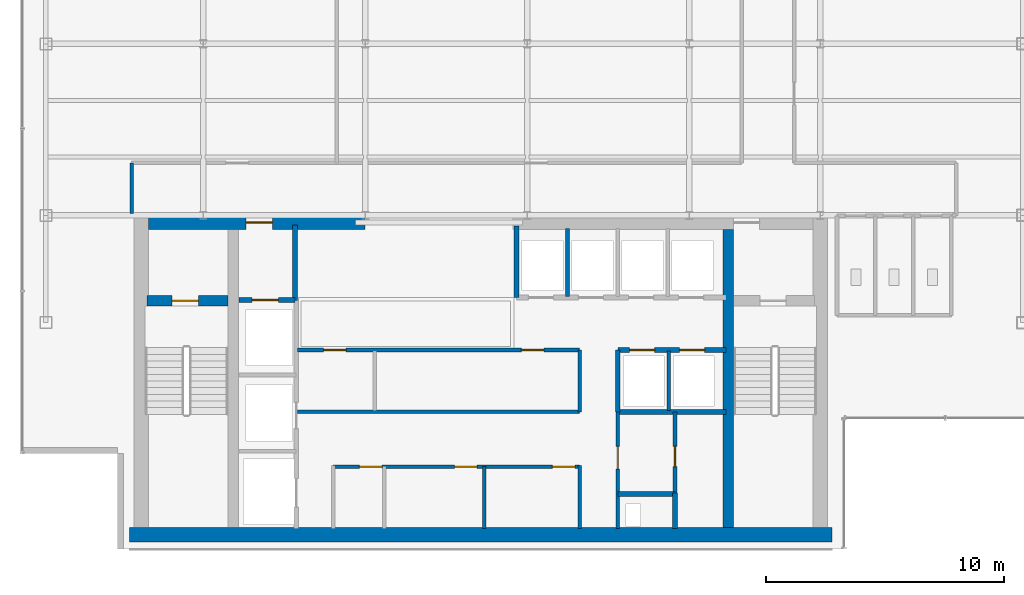
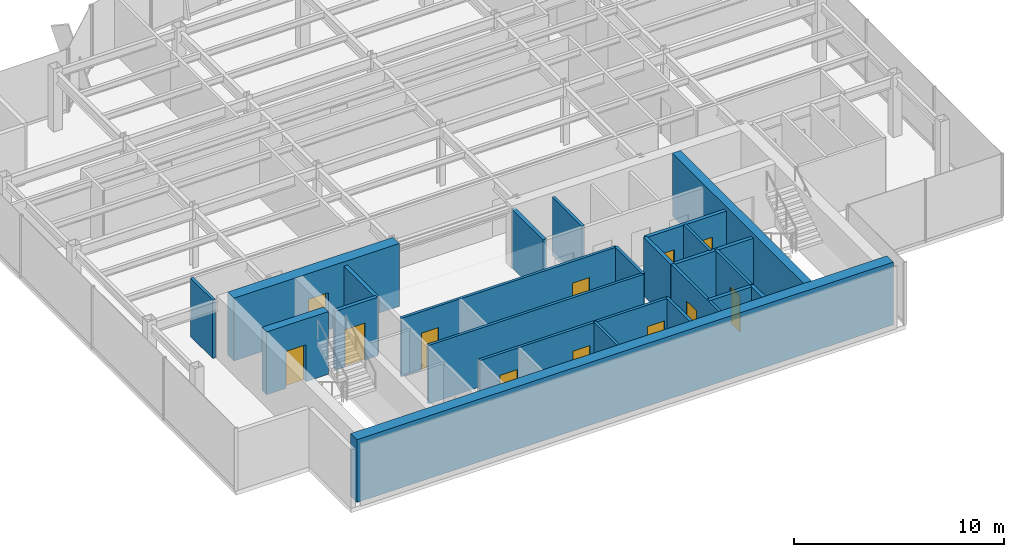
# One storey, part 17 of 22: 23 walls, 12 doors, 12 openings.
"""IFC4 building model written with IfcOpenShell, lengths in metres."""

from ifc_helpers import new_model, si_unit, derived_unit, direction, frame, frame_2d, origin, place, context, subcontext, project, spatial, rectangle, extrude, source, transform, mapped, material, layer, layer_set, type_object, element, fill, save


model = new_model("IFC4")

# Units and contexts
model_context = context("Model", 3, precision=1e-05, world=origin(), true_north=direction((0.0, 1.0)))
body_context = subcontext(model_context, "Body", "Model", "MODEL_VIEW")
ifc_project = project(units=[si_unit("LENGTHUNIT", "METRE"), si_unit("AREAUNIT", "SQUARE_METRE"), si_unit("VOLUMEUNIT", "CUBIC_METRE"), si_unit("PLANEANGLEUNIT", "RADIAN"), si_unit("MASSUNIT", "GRAM", prefix="KILO"), derived_unit("THERMALTRANSMITTANCEUNIT", [(si_unit("POWERUNIT", "WATT"), 1), (si_unit("LENGTHUNIT", "METRE"), -2), (si_unit("THERMODYNAMICTEMPERATUREUNIT", "KELVIN"), -1)])], contexts=[model_context])

# Site, building, storey
site_placement = place(None, origin())
site = spatial("IfcSite", under=ifc_project, at=site_placement, CompositionType="ELEMENT")
building_placement = place(site_placement, origin())
building = spatial("IfcBuilding", under=site, at=building_placement, Name="Skarnbrae Concourse Arena and Tower", CompositionType="ELEMENT")
storey_placement = place(building_placement, frame((0.0, 0.0, 221.449951171875)))
storey = spatial("IfcBuildingStorey", under=building, at=storey_placement, Name="L57", CompositionType="ELEMENT", Elevation=221.449951171875)

# Wall, opening, door
ifc_material_1 = material(Name="Concrete 50 MPa (C50/60)", Category="concrete")
ifc_layer_1 = layer(ifc_material_1, 0.449951171875)
ifc_layer_set_1 = layer_set([ifc_layer_1], Name="Concrete 50 MPa (C50/60)")
wall_type_1 = type_object("IfcWallType", Name="WALL-CORE-450-C50", PredefinedType="SHEAR", material=ifc_layer_set_1)
shared_shape_1 = source(origin(), body_context, "Body", "SweptSolid", [
    extrude(rectangle(XDim=3.389892578125, YDim=0.449951171875, at=frame_2d((1.69482421875, 0.0))), origin(), (0.0, 0.0, 1.0), 3.650146484375),
])
wall_1_placement = place(storey_placement, frame((5.25, 10.419921875, 0.0), z_axis=(0.0, 0.0, 1.0), x_axis=(1.0, 0.0, 0.0)))
wall_1 = element("IfcWall", 1, at=wall_1_placement, inside=storey, type_object=wall_type_1, Name="L57 Rear core shear wall CW-ST1-N", PredefinedType="SHEAR", context=body_context, shape_type="MappedRepresentation", body=[
    mapped(shared_shape_1, transform((0.0, 0.0, 0.0))),
])
opening_1_placement = place(wall_1_placement, frame((1.050048828125, 0.0, 0.0)))
opening_1 = element("IfcOpeningElement", 2, at=opening_1_placement, cuts=wall_1, Name="Opening DT-03", PredefinedType="OPENING", context=body_context, shape_type="SweptSolid", body=[
    extrude(rectangle(XDim=1.10009765625, YDim=2.14990234375, at=frame_2d((0.550048828125, 1.074951171875))), frame((0.0, 0.23486328125, 0.0), z_axis=(0.0, -1.0, 0.0), x_axis=(1.0, 0.0, 0.0)), (0.0, 0.0, 1.0), 0.469970703125),
])
ifc_material_2 = material(Name="Steel CSA G40.21 350W", Category="steel")
door_type_1 = type_object("IfcDoorType", Name="DOOR-FIRE-1100-90M", OperationType="NOTDEFINED", PredefinedType="DOOR", material=ifc_material_2)
shared_shape_2 = source(origin(), body_context, "Body", "SweptSolid", [
    extrude(rectangle(XDim=1.10009765625, YDim=2.14990234375, at=frame_2d((0.550048828125, 1.074951171875))), frame((0.0, 0.02490234375, 0.0), z_axis=(0.0, -1.0, 0.0), x_axis=(1.0, 0.0, 0.0)), (0.0, 0.0, 1.0), 0.050048828125),
])
door_1_placement = place(opening_1_placement, frame((1.10009765625, 0.0, 0.0), z_axis=(0.0, 0.0, 1.0), x_axis=(-1.0, 0.0, 0.0)))
door_1 = element("IfcDoor", 3, at=door_1_placement, inside=storey, type_object=door_type_1, Name="D-1731 Stair ST-1 Door", OperationType="SINGLE_SWING_LEFT", OverallHeight=2.14990234375, OverallWidth=1.10009765625, PredefinedType="DOOR", context=body_context, shape_type="MappedRepresentation", body=[
    mapped(shared_shape_2, transform((0.0, 0.0, 0.0))),
])
fill(opening_1, door_1)

# Wall
ifc_layer_2 = layer(ifc_material_1, 0.60009765625)
ifc_layer_set_2 = layer_set([ifc_layer_2], Name="Concrete 50 MPa (C50/60)")
wall_type_2 = type_object("IfcWallType", Name="WALL-CORE-600-C50", PredefinedType="SHEAR", material=ifc_layer_set_2)
shared_shape_3 = source(origin(), body_context, "Body", "SweptSolid", [
    extrude(rectangle(XDim=29.5, YDim=0.60009765625, at=frame_2d((14.75, 0.0))), origin(), (0.0, 0.0, 1.0), 3.650146484375),
])
wall_2_placement = place(storey_placement, frame((4.5, 0.60009765625, 0.0), z_axis=(0.0, 0.0, 1.0), x_axis=(1.0, 0.0, 0.0)))
element("IfcWall", 4, at=wall_2_placement, inside=storey, type_object=wall_type_2, Name="L57 Rear core shear wall CW-S", PredefinedType="SHEAR", context=body_context, shape_type="MappedRepresentation", body=[
    mapped(shared_shape_3, transform((0.0, 0.0, 0.0))),
])

# Wall, opening, door
shared_shape_4 = source(origin(), body_context, "Body", "SweptSolid", [
    extrude(rectangle(XDim=9.099853515625, YDim=0.60009765625, at=frame_2d((4.5498046875, 0.0))), origin(), (0.0, 0.0, 1.0), 3.650146484375),
])
wall_3_placement = place(storey_placement, frame((5.300048828125, 13.699951171875, 0.0), z_axis=(0.0, 0.0, 1.0), x_axis=(1.0, 0.0, 0.0)))
wall_3 = element("IfcWall", 5, at=wall_3_placement, inside=storey, type_object=wall_type_2, Name="L57 Rear core shear wall CW-NW", PredefinedType="SHEAR", context=body_context, shape_type="MappedRepresentation", body=[
    mapped(shared_shape_4, transform((0.0, 0.0, 0.0))),
])
opening_2_placement = place(wall_3_placement, frame((4.10009765625, 0.0, 0.0)))
opening_2 = element("IfcOpeningElement", 6, at=opening_2_placement, cuts=wall_3, Name="Opening DT-03", PredefinedType="OPENING", context=body_context, shape_type="SweptSolid", body=[
    extrude(rectangle(XDim=1.10009765625, YDim=2.14990234375, at=frame_2d((0.550048828125, 1.074951171875))), frame((0.0, 0.31005859375, 0.0), z_axis=(0.0, -1.0, 0.0), x_axis=(1.0, 0.0, 0.0)), (0.0, 0.0, 1.0), 0.6201171875),
])
door_2_placement = place(opening_2_placement, origin())
door_2 = element("IfcDoor", 7, at=door_2_placement, inside=storey, type_object=door_type_1, Name="D-1733 Firefighting Lobby Exit Door", OperationType="SINGLE_SWING_RIGHT", OverallHeight=2.14990234375, OverallWidth=1.10009765625, PredefinedType="DOOR", context=body_context, shape_type="MappedRepresentation", body=[
    mapped(shared_shape_2, transform((0.0, 0.0, 0.0))),
])
fill(opening_2, door_2)

# Walls
shared_shape_5 = source(origin(), body_context, "Body", "SweptSolid", [
    extrude(rectangle(XDim=12.5, YDim=0.449951171875, at=frame_2d((6.25, 0.0))), origin(), (0.0, 0.0, 1.0), 3.650146484375),
])
wall_4_placement = place(storey_placement, frame((29.635009765625, 0.89990234375, 0.0), z_axis=(0.0, 0.0, 1.0), x_axis=(0.0, 1.0, 0.0)))
element("IfcWall", 8, at=wall_4_placement, inside=storey, type_object=wall_type_1, Name="L57 Rear core shear wall CW-WEB-E", PredefinedType="SHEAR", context=body_context, shape_type="MappedRepresentation", body=[
    mapped(shared_shape_5, transform((0.0, 0.0, 0.0))),
])
ifc_material_3 = material(Name="Gypsum board on cold-formed steel studs", Category="steel")
ifc_layer_3 = layer(ifc_material_3, 0.199951171875)
ifc_layer_set_3 = layer_set([ifc_layer_3], Name="Gypsum board on cold-formed steel studs")
wall_type_3 = type_object("IfcWallType", Name="WALL-PART-200-2HR", PredefinedType="PARTITIONING", material=ifc_layer_set_3)
shared_shape_6 = source(origin(), body_context, "Body", "SweptSolid", [
    extrude(rectangle(XDim=3.18017578125, YDim=0.199951171875, at=frame_2d((1.590087890625, 0.0))), origin(), (0.0, 0.0, 1.0), 3.400146484375),
])
wall_5_placement = place(storey_placement, frame((11.449951171875, 10.419921875, 0.0), z_axis=(0.0, 0.0, 1.0), x_axis=(0.0, 1.0, 0.0)))
element("IfcWall", 9, at=wall_5_placement, inside=storey, type_object=wall_type_3, Name="L57 Interior partition wall W-L57-FFL-E", PredefinedType="PARTITIONING", context=body_context, shape_type="MappedRepresentation", body=[
    mapped(shared_shape_6, transform((0.0, 0.0, 0.0))),
])

# Wall, opening, door
shared_shape_7 = source(origin(), body_context, "Body", "SweptSolid", [
    extrude(rectangle(XDim=2.349853515625, YDim=0.199951171875, at=frame_2d((1.1748046875, 0.0))), origin(), (0.0, 0.0, 1.0), 3.400146484375),
])
wall_6_placement = place(storey_placement, frame((9.10009765625, 10.449951171875, 0.0), z_axis=(0.0, 0.0, 1.0), x_axis=(1.0, 0.0, 0.0)))
wall_6 = element("IfcWall", 10, at=wall_6_placement, inside=storey, type_object=wall_type_3, Name="L57 Interior partition wall W-L57-FL1-N", PredefinedType="PARTITIONING", context=body_context, shape_type="MappedRepresentation", body=[
    mapped(shared_shape_7, transform((0.0, 0.0, 0.0))),
])
opening_3_placement = place(wall_6_placement, frame((0.550048828125, 0.0, 0.0)))
opening_3 = element("IfcOpeningElement", 11, at=opening_3_placement, cuts=wall_6, Name="Opening LD-01", PredefinedType="OPENING", context=body_context, shape_type="SweptSolid", body=[
    extrude(rectangle(XDim=1.10009765625, YDim=2.14990234375, at=frame_2d((0.550048828125, 1.074951171875))), frame((0.0, 0.10986328125, 0.0), z_axis=(0.0, -1.0, 0.0), x_axis=(1.0, 0.0, 0.0)), (0.0, 0.0, 1.0), 0.219970703125),
])
door_type_2 = type_object("IfcDoorType", Name="DOOR-LIFT-SLIDE-1100", OperationType="SLIDING_TO_LEFT", PredefinedType="DOOR", material=ifc_material_2)
door_3_placement = place(opening_3_placement, origin())
door_3 = element("IfcDoor", 12, at=door_3_placement, inside=storey, type_object=door_type_2, Name="D-1735 Firefighting Lift Landing Door FL-01", OperationType="SLIDING_TO_LEFT", OverallHeight=2.14990234375, OverallWidth=1.10009765625, PredefinedType="DOOR", context=body_context, shape_type="MappedRepresentation", body=[
    mapped(shared_shape_2, transform((0.0, 0.0, 0.0))),
])
fill(opening_3, door_3)

# Walls
ifc_layer_4 = layer(ifc_material_3, 0.14990234375)
ifc_layer_set_4 = layer_set([ifc_layer_4], Name="Gypsum board on cold-formed steel studs")
wall_type_4 = type_object("IfcWallType", Name="WALL-PART-150", PredefinedType="PARTITIONING", material=ifc_layer_set_4)
shared_shape_8 = source(origin(), body_context, "Body", "SweptSolid", [
    extrude(rectangle(XDim=2.599853515625, YDim=0.14990234375, at=frame_2d((1.2998046875, 0.0))), origin(), (0.0, 0.0, 1.0), 3.400146484375),
])
wall_7_placement = place(storey_placement, frame((19.39990234375, 0.85009765625, 0.0), z_axis=(0.0, 0.0, 1.0), x_axis=(0.0, 1.0, 0.0)))
element("IfcWall", 13, at=wall_7_placement, inside=storey, type_object=wall_type_4, Name="L57 Interior partition wall W-L57-B1M-C2", PredefinedType="PARTITIONING", context=body_context, shape_type="MappedRepresentation", body=[
    mapped(shared_shape_8, transform((0.0, 0.0, 0.0))),
])
shared_shape_9 = source(origin(), body_context, "Body", "SweptSolid", [
    extrude(rectangle(XDim=2.60009765625, YDim=0.199951171875, at=frame_2d((1.300048828125, 0.0))), origin(), (0.0, 0.0, 1.0), 3.400146484375),
])
wall_8_placement = place(storey_placement, frame((25.0, 5.75, 0.0), z_axis=(0.0, 0.0, 1.0), x_axis=(0.0, 1.0, 0.0)))
element("IfcWall", 14, at=wall_8_placement, inside=storey, type_object=wall_type_3, Name="L57 Interior partition wall W-L57-B3S-W", PredefinedType="PARTITIONING", context=body_context, shape_type="MappedRepresentation", body=[
    mapped(shared_shape_9, transform((0.0, 0.0, 0.0))),
])
shared_shape_10 = source(origin(), body_context, "Body", "SweptSolid", [
    extrude(rectangle(XDim=2.5, YDim=0.14990234375, at=frame_2d((1.25, 0.0))), origin(), (0.0, 0.0, 1.0), 3.400146484375),
])
wall_9_placement = place(storey_placement, frame((27.139892578125, 5.800048828125, 0.0), z_axis=(0.0, 0.0, 1.0), x_axis=(0.0, 1.0, 0.0)))
element("IfcWall", 15, at=wall_9_placement, inside=storey, type_object=wall_type_4, Name="L57 Interior partition wall W-L57-B3S-P1", PredefinedType="PARTITIONING", context=body_context, shape_type="MappedRepresentation", body=[
    mapped(shared_shape_10, transform((0.0, 0.0, 0.0))),
])
shared_shape_11 = source(origin(), body_context, "Body", "SweptSolid", [
    extrude(rectangle(XDim=3.0, YDim=0.199951171875, at=frame_2d((1.5, 0.0))), origin(), (0.0, 0.0, 1.0), 3.400146484375),
])
wall_10_placement = place(storey_placement, frame((20.75, 10.550048828125, 0.0), z_axis=(0.0, 0.0, 1.0), x_axis=(0.0, 1.0, 0.0)))
element("IfcWall", 16, at=wall_10_placement, inside=storey, type_object=wall_type_3, Name="L57 Interior partition wall W-L57-B3N-W", PredefinedType="PARTITIONING", context=body_context, shape_type="MappedRepresentation", body=[
    mapped(shared_shape_11, transform((0.0, 0.0, 0.0))),
])
shared_shape_12 = source(origin(), body_context, "Body", "SweptSolid", [
    extrude(rectangle(XDim=2.849853515625, YDim=0.14990234375, at=frame_2d((1.4248046875, 0.0))), origin(), (0.0, 0.0, 1.0), 3.400146484375),
])
wall_11_placement = place(storey_placement, frame((22.889892578125, 10.60009765625, 0.0), z_axis=(0.0, 0.0, 1.0), x_axis=(0.0, 1.0, 0.0)))
element("IfcWall", 17, at=wall_11_placement, inside=storey, type_object=wall_type_4, Name="L57 Interior partition wall W-L57-B3N-P1", PredefinedType="PARTITIONING", context=body_context, shape_type="MappedRepresentation", body=[
    mapped(shared_shape_12, transform((0.0, 0.0, 0.0))),
])

# Wall, openings, doors
shared_shape_13 = source(origin(), body_context, "Body", "SweptSolid", [
    extrude(rectangle(XDim=4.550048828125, YDim=0.199951171875, at=frame_2d((2.27490234375, 0.0))), origin(), (0.0, 0.0, 1.0), 3.400146484375),
])
wall_12_placement = place(storey_placement, frame((25.0, 8.35009765625, 0.0), z_axis=(0.0, 0.0, 1.0), x_axis=(1.0, 0.0, 0.0)))
wall_12 = element("IfcWall", 18, at=wall_12_placement, inside=storey, type_object=wall_type_3, Name="L57 Interior partition wall W-L57-B3S-N", PredefinedType="PARTITIONING", context=body_context, shape_type="MappedRepresentation", body=[
    mapped(shared_shape_13, transform((0.0, 0.0, 0.0))),
])
opening_4_placement = place(wall_12_placement, frame((0.5, 0.0, 0.0)))
opening_4 = element("IfcOpeningElement", 19, at=opening_4_placement, cuts=wall_12, Name="Opening LD-04", PredefinedType="OPENING", context=body_context, shape_type="SweptSolid", body=[
    extrude(rectangle(XDim=1.050048828125, YDim=2.14990234375, at=frame_2d((0.52490234375, 1.074951171875))), frame((0.0, 0.10986328125, 0.0), z_axis=(0.0, -1.0, 0.0), x_axis=(1.0, 0.0, 0.0)), (0.0, 0.0, 1.0), 0.219970703125),
])
opening_5_placement = place(wall_12_placement, frame((2.60009765625, 0.0, 0.0)))
opening_5 = element("IfcOpeningElement", 20, at=opening_5_placement, cuts=wall_12, Name="Opening LD-04", PredefinedType="OPENING", context=body_context, shape_type="SweptSolid", body=[
    extrude(rectangle(XDim=1.050048828125, YDim=2.14990234375, at=frame_2d((0.52490234375, 1.074951171875))), frame((0.0, 0.10986328125, 0.0), z_axis=(0.0, -1.0, 0.0), x_axis=(1.0, 0.0, 0.0)), (0.0, 0.0, 1.0), 0.219970703125),
])
ifc_material_4 = material(Name="Bronze anodised aluminium 6063-T6", Category="aluminium")
door_type_3 = type_object("IfcDoorType", Name="DOOR-LIFT-SLIDE-1050H", OperationType="SLIDING_TO_LEFT", PredefinedType="DOOR", material=ifc_material_4)
shared_shape_14 = source(origin(), body_context, "Body", "SweptSolid", [
    extrude(rectangle(XDim=1.050048828125, YDim=2.14990234375, at=frame_2d((0.52490234375, 1.074951171875))), frame((0.0, 0.02490234375, 0.0), z_axis=(0.0, -1.0, 0.0), x_axis=(1.0, 0.0, 0.0)), (0.0, 0.0, 1.0), 0.050048828125),
])
door_4_placement = place(opening_4_placement, origin())
door_4 = element("IfcDoor", 21, at=door_4_placement, inside=storey, type_object=door_type_3, Name="D-1747 Passenger Lift Landing Door PL-3E", OperationType="SLIDING_TO_LEFT", OverallHeight=2.14990234375, OverallWidth=1.050048828125, PredefinedType="DOOR", context=body_context, shape_type="MappedRepresentation", body=[
    mapped(shared_shape_14, transform((0.0, 0.0, 0.0))),
])
fill(opening_4, door_4)
door_5_placement = place(opening_5_placement, origin())
door_5 = element("IfcDoor", 22, at=door_5_placement, inside=storey, type_object=door_type_3, Name="D-1748 Passenger Lift Landing Door PL-3F", OperationType="SLIDING_TO_LEFT", OverallHeight=2.14990234375, OverallWidth=1.050048828125, PredefinedType="DOOR", context=body_context, shape_type="MappedRepresentation", body=[
    mapped(shared_shape_14, transform((0.0, 0.0, 0.0))),
])
fill(opening_5, door_5)

# Wall
wall_13_placement = place(storey_placement, frame((25.0, 5.75, 0.0), z_axis=(0.0, 0.0, 1.0), x_axis=(1.0, 0.0, 0.0)))
element("IfcWall", 23, at=wall_13_placement, inside=storey, type_object=wall_type_3, Name="L57 Interior partition wall W-L57-B3S-S", PredefinedType="PARTITIONING", context=body_context, shape_type="MappedRepresentation", body=[
    mapped(shared_shape_13, transform((0.0, 0.0, 0.0))),
])

# Wall, opening, door
ifc_layer_5 = layer(ifc_material_3, 0.14990234375)
ifc_layer_set_5 = layer_set([ifc_layer_5], Name="Gypsum board on cold-formed steel studs")
wall_type_5 = type_object("IfcWallType", Name="WALL-PART-150-1HR", PredefinedType="PARTITIONING", material=ifc_layer_set_5)
shared_shape_15 = source(origin(), body_context, "Body", "SweptSolid", [
    extrude(rectangle(XDim=4.89990234375, YDim=0.14990234375, at=frame_2d((2.449951171875, 0.0))), origin(), (0.0, 0.0, 1.0), 3.400146484375),
])
wall_14_placement = place(storey_placement, frame((25.0, 0.85009765625, 0.0), z_axis=(0.0, 0.0, 1.0), x_axis=(0.0, 1.0, 0.0)))
wall_14 = element("IfcWall", 24, at=wall_14_placement, inside=storey, type_object=wall_type_5, Name="L57 Interior partition wall W-L57-CSV-W", PredefinedType="PARTITIONING", context=body_context, shape_type="MappedRepresentation", body=[
    mapped(shared_shape_15, transform((0.0, 0.0, 0.0))),
])
opening_6_placement = place(wall_14_placement, frame((2.5, 0.0, 0.0)))
opening_6 = element("IfcOpeningElement", 25, at=opening_6_placement, cuts=wall_14, Name="Opening DT-04", PredefinedType="OPENING", context=body_context, shape_type="SweptSolid", body=[
    extrude(rectangle(XDim=0.949951171875, YDim=2.14990234375, at=frame_2d((0.47509765625, 1.074951171875))), frame((0.0, 0.0849609375, 0.0), z_axis=(0.0, -1.0, 0.0), x_axis=(1.0, 0.0, 0.0)), (0.0, 0.0, 1.0), 0.169921875),
])
door_type_4 = type_object("IfcDoorType", Name="DOOR-INT-950-45M", OperationType="NOTDEFINED", PredefinedType="DOOR", material=ifc_material_2)
shared_shape_16 = source(origin(), body_context, "Body", "SweptSolid", [
    extrude(rectangle(XDim=0.949951171875, YDim=2.14990234375, at=frame_2d((0.47509765625, 1.074951171875))), frame((0.0, 0.02490234375, 0.0), z_axis=(0.0, -1.0, 0.0), x_axis=(1.0, 0.0, 0.0)), (0.0, 0.0, 1.0), 0.050048828125),
])
door_6_placement = place(opening_6_placement, origin())
door_6 = element("IfcDoor", 26, at=door_6_placement, inside=storey, type_object=door_type_4, Name="D-1749 Core Pantry Door", OperationType="SINGLE_SWING_RIGHT", OverallHeight=2.14990234375, OverallWidth=0.949951171875, PredefinedType="DOOR", context=body_context, shape_type="MappedRepresentation", body=[
    mapped(shared_shape_16, transform((0.0, 0.0, 0.0))),
])
fill(opening_6, door_6)

# Walls
shared_shape_17 = source(origin(), body_context, "Body", "SweptSolid", [
    extrude(rectangle(XDim=2.39990234375, YDim=0.199951171875, at=frame_2d((1.199951171875, 0.0))), origin(), (0.0, 0.0, 1.0), 3.400146484375),
])
wall_15_placement = place(storey_placement, frame((25.0, 2.300048828125, 0.0), z_axis=(0.0, 0.0, 1.0), x_axis=(1.0, 0.0, 0.0)))
element("IfcWall", 27, at=wall_15_placement, inside=storey, type_object=wall_type_3, Name="L57 Interior partition wall W-L57-MEP-N", PredefinedType="PARTITIONING", context=body_context, shape_type="MappedRepresentation", body=[
    mapped(shared_shape_17, transform((0.0, 0.0, 0.0))),
])
shared_shape_18 = source(origin(), body_context, "Body", "SweptSolid", [
    extrude(rectangle(XDim=1.5, YDim=0.199951171875, at=frame_2d((0.75, 0.0))), origin(), (0.0, 0.0, 1.0), 3.400146484375),
])
wall_16_placement = place(storey_placement, frame((27.39990234375, 0.85009765625, 0.0), z_axis=(0.0, 0.0, 1.0), x_axis=(0.0, 1.0, 0.0)))
element("IfcWall", 28, at=wall_16_placement, inside=storey, type_object=wall_type_3, Name="L57 Interior partition wall W-L57-MEP-E", PredefinedType="PARTITIONING", context=body_context, shape_type="MappedRepresentation", body=[
    mapped(shared_shape_18, transform((0.0, 0.0, 0.0))),
])

# Wall, opening, door
shared_shape_19 = source(origin(), body_context, "Body", "SweptSolid", [
    extrude(rectangle(XDim=3.39990234375, YDim=0.14990234375, at=frame_2d((1.699951171875, 0.0))), origin(), (0.0, 0.0, 1.0), 3.400146484375),
])
wall_17_placement = place(storey_placement, frame((27.39990234375, 2.35009765625, 0.0), z_axis=(0.0, 0.0, 1.0), x_axis=(0.0, 1.0, 0.0)))
wall_17 = element("IfcWall", 29, at=wall_17_placement, inside=storey, type_object=wall_type_4, Name="L57 Interior partition wall W-L57-CSV-V", PredefinedType="PARTITIONING", context=body_context, shape_type="MappedRepresentation", body=[
    mapped(shared_shape_19, transform((0.0, 0.0, 0.0))),
])
opening_7_placement = place(wall_17_placement, frame((1.10009765625, 0.0, 0.0)))
opening_7 = element("IfcOpeningElement", 30, at=opening_7_placement, cuts=wall_17, Name="Opening DT-06", PredefinedType="OPENING", context=body_context, shape_type="SweptSolid", body=[
    extrude(rectangle(XDim=0.85009765625, YDim=2.10009765625, at=frame_2d((0.425048828125, 1.050048828125))), frame((0.0, 0.0849609375, 0.0), z_axis=(0.0, -1.0, 0.0), x_axis=(1.0, 0.0, 0.0)), (0.0, 0.0, 1.0), 0.169921875),
])
ifc_material_5 = material(Name="Architectural oak veneer timber leaf", Category="wood")
door_type_5 = type_object("IfcDoorType", Name="DOOR-INT-850", OperationType="NOTDEFINED", PredefinedType="DOOR", material=ifc_material_5)
shared_shape_20 = source(origin(), body_context, "Body", "SweptSolid", [
    extrude(rectangle(XDim=0.85009765625, YDim=2.10009765625, at=frame_2d((0.425048828125, 1.050048828125))), frame((0.0, 0.02490234375, 0.0), z_axis=(0.0, -1.0, 0.0), x_axis=(1.0, 0.0, 0.0)), (0.0, 0.0, 1.0), 0.050048828125),
])
door_7_placement = place(opening_7_placement, frame((0.85009765625, 0.0, 0.0), z_axis=(0.0, 0.0, 1.0), x_axis=(-1.0, 0.0, 0.0)))
door_7 = element("IfcDoor", 31, at=door_7_placement, inside=storey, type_object=door_type_5, Name="D-1750 Supply Cupboard Door", OperationType="SINGLE_SWING_LEFT", OverallHeight=2.10009765625, OverallWidth=0.85009765625, PredefinedType="DOOR", context=body_context, shape_type="MappedRepresentation", body=[
    mapped(shared_shape_20, transform((0.0, 0.0, 0.0))),
])
fill(opening_7, door_7)

# Wall
shared_shape_21 = source(origin(), body_context, "Body", "SweptSolid", [
    extrude(rectangle(XDim=2.64990234375, YDim=0.14990234375, at=frame_2d((1.324951171875, 0.0))), origin(), (0.0, 0.0, 1.0), 3.400146484375),
])
wall_18_placement = place(storey_placement, frame((23.39990234375, 0.85009765625, 0.0), z_axis=(0.0, 0.0, 1.0), x_axis=(0.0, 1.0, 0.0)))
element("IfcWall", 32, at=wall_18_placement, inside=storey, type_object=wall_type_5, Name="L57 Interior partition wall W-L57-B1M-E", PredefinedType="PARTITIONING", context=body_context, shape_type="MappedRepresentation", body=[
    mapped(shared_shape_21, transform((0.0, 0.0, 0.0))),
])

# Wall, openings, doors
shared_shape_22 = source(origin(), body_context, "Body", "SweptSolid", [
    extrude(rectangle(XDim=10.349853515625, YDim=0.14990234375, at=frame_2d((5.1748046875, 0.0))), origin(), (0.0, 0.0, 1.0), 3.400146484375),
])
wall_19_placement = place(storey_placement, frame((13.050048828125, 3.449951171875, 0.0), z_axis=(0.0, 0.0, 1.0), x_axis=(1.0, 0.0, 0.0)))
wall_19 = element("IfcWall", 33, at=wall_19_placement, inside=storey, type_object=wall_type_5, Name="L57 Interior partition wall W-L57-B1M-N", PredefinedType="PARTITIONING", context=body_context, shape_type="MappedRepresentation", body=[
    mapped(shared_shape_22, transform((0.0, 0.0, 0.0))),
])
opening_8_placement = place(wall_19_placement, frame((1.10009765625, 0.0, 0.0)))
opening_8 = element("IfcOpeningElement", 34, at=opening_8_placement, cuts=wall_19, Name="Opening DT-04", PredefinedType="OPENING", context=body_context, shape_type="SweptSolid", body=[
    extrude(rectangle(XDim=0.949951171875, YDim=2.14990234375, at=frame_2d((0.47509765625, 1.074951171875))), frame((0.0, 0.0849609375, 0.0), z_axis=(0.0, -1.0, 0.0), x_axis=(1.0, 0.0, 0.0)), (0.0, 0.0, 1.0), 0.169921875),
])
opening_9_placement = place(wall_19_placement, frame((5.10009765625, 0.0, 0.0)))
opening_9 = element("IfcOpeningElement", 35, at=opening_9_placement, cuts=wall_19, Name="Opening DT-04", PredefinedType="OPENING", context=body_context, shape_type="SweptSolid", body=[
    extrude(rectangle(XDim=0.949951171875, YDim=2.14990234375, at=frame_2d((0.47509765625, 1.074951171875))), frame((0.0, 0.0849609375, 0.0), z_axis=(0.0, -1.0, 0.0), x_axis=(1.0, 0.0, 0.0)), (0.0, 0.0, 1.0), 0.169921875),
])
opening_10_placement = place(wall_19_placement, frame((9.199951171875, 0.0, 0.0)))
opening_10 = element("IfcOpeningElement", 36, at=opening_10_placement, cuts=wall_19, Name="Opening DT-04", PredefinedType="OPENING", context=body_context, shape_type="SweptSolid", body=[
    extrude(rectangle(XDim=0.949951171875, YDim=2.14990234375, at=frame_2d((0.47509765625, 1.074951171875))), frame((0.0, 0.0849609375, 0.0), z_axis=(0.0, -1.0, 0.0), x_axis=(1.0, 0.0, 0.0)), (0.0, 0.0, 1.0), 0.169921875),
])
door_8_placement = place(opening_8_placement, origin())
door_8 = element("IfcDoor", 37, at=door_8_placement, inside=storey, type_object=door_type_4, Name="D-1738 Core Service Door 1", OperationType="SINGLE_SWING_LEFT", OverallHeight=2.14990234375, OverallWidth=0.949951171875, PredefinedType="DOOR", context=body_context, shape_type="MappedRepresentation", body=[
    mapped(shared_shape_16, transform((0.0, 0.0, 0.0))),
])
fill(opening_8, door_8)
door_9_placement = place(opening_9_placement, origin())
door_9 = element("IfcDoor", 38, at=door_9_placement, inside=storey, type_object=door_type_4, Name="D-1739 Core Service Door 2", OperationType="SINGLE_SWING_RIGHT", OverallHeight=2.14990234375, OverallWidth=0.949951171875, PredefinedType="DOOR", context=body_context, shape_type="MappedRepresentation", body=[
    mapped(shared_shape_16, transform((0.0, 0.0, 0.0))),
])
fill(opening_9, door_9)
door_10_placement = place(opening_10_placement, origin())
door_10 = element("IfcDoor", 39, at=door_10_placement, inside=storey, type_object=door_type_4, Name="D-1740 Core Service Door 3", OperationType="SINGLE_SWING_LEFT", OverallHeight=2.14990234375, OverallWidth=0.949951171875, PredefinedType="DOOR", context=body_context, shape_type="MappedRepresentation", body=[
    mapped(shared_shape_16, transform((0.0, 0.0, 0.0))),
])
fill(opening_10, door_10)

# Wall
shared_shape_23 = source(origin(), body_context, "Body", "SweptSolid", [
    extrude(rectangle(XDim=11.849853515625, YDim=0.14990234375, at=frame_2d((5.9248046875, 0.0))), origin(), (0.0, 0.0, 1.0), 3.400146484375),
])
wall_20_placement = place(storey_placement, frame((11.550048828125, 5.75, 0.0), z_axis=(0.0, 0.0, 1.0), x_axis=(1.0, 0.0, 0.0)))
element("IfcWall", 40, at=wall_20_placement, inside=storey, type_object=wall_type_5, Name="L57 Interior partition wall W-L57-B2M-S", PredefinedType="PARTITIONING", context=body_context, shape_type="MappedRepresentation", body=[
    mapped(shared_shape_23, transform((0.0, 0.0, 0.0))),
])

# Wall, openings, doors
wall_21_placement = place(storey_placement, frame((11.550048828125, 8.35009765625, 0.0), z_axis=(0.0, 0.0, 1.0), x_axis=(1.0, 0.0, 0.0)))
wall_21 = element("IfcWall", 41, at=wall_21_placement, inside=storey, type_object=wall_type_5, Name="L57 Interior partition wall W-L57-B2M-N", PredefinedType="PARTITIONING", context=body_context, shape_type="MappedRepresentation", body=[
    mapped(shared_shape_23, transform((0.0, 0.0, 0.0))),
])
opening_11_placement = place(wall_21_placement, frame((1.10009765625, 0.0, 0.0)))
opening_11 = element("IfcOpeningElement", 42, at=opening_11_placement, cuts=wall_21, Name="Opening DT-04", PredefinedType="OPENING", context=body_context, shape_type="SweptSolid", body=[
    extrude(rectangle(XDim=0.949951171875, YDim=2.14990234375, at=frame_2d((0.47509765625, 1.074951171875))), frame((0.0, 0.0849609375, 0.0), z_axis=(0.0, -1.0, 0.0), x_axis=(1.0, 0.0, 0.0)), (0.0, 0.0, 1.0), 0.169921875),
])
opening_12_placement = place(wall_21_placement, frame((9.39990234375, 0.0, 0.0)))
opening_12 = element("IfcOpeningElement", 43, at=opening_12_placement, cuts=wall_21, Name="Opening DT-04", PredefinedType="OPENING", context=body_context, shape_type="SweptSolid", body=[
    extrude(rectangle(XDim=0.949951171875, YDim=2.14990234375, at=frame_2d((0.47509765625, 1.074951171875))), frame((0.0, 0.0849609375, 0.0), z_axis=(0.0, -1.0, 0.0), x_axis=(1.0, 0.0, 0.0)), (0.0, 0.0, 1.0), 0.169921875),
])
door_11_placement = place(opening_11_placement, origin())
door_11 = element("IfcDoor", 44, at=door_11_placement, inside=storey, type_object=door_type_4, Name="D-1741 High-Zone Data Door", OperationType="SINGLE_SWING_RIGHT", OverallHeight=2.14990234375, OverallWidth=0.949951171875, PredefinedType="DOOR", context=body_context, shape_type="MappedRepresentation", body=[
    mapped(shared_shape_16, transform((0.0, 0.0, 0.0))),
])
fill(opening_11, door_11)
door_12_placement = place(opening_12_placement, origin())
door_12 = element("IfcDoor", 45, at=door_12_placement, inside=storey, type_object=door_type_4, Name="D-1742 Reprographics Door", OperationType="SINGLE_SWING_LEFT", OverallHeight=2.14990234375, OverallWidth=0.949951171875, PredefinedType="DOOR", context=body_context, shape_type="MappedRepresentation", body=[
    mapped(shared_shape_16, transform((0.0, 0.0, 0.0))),
])
fill(opening_12, door_12)

# Walls
shared_shape_24 = source(origin(), body_context, "Body", "SweptSolid", [
    extrude(rectangle(XDim=2.60009765625, YDim=0.14990234375, at=frame_2d((1.300048828125, 0.0))), origin(), (0.0, 0.0, 1.0), 3.400146484375),
])
wall_22_placement = place(storey_placement, frame((23.39990234375, 5.75, 0.0), z_axis=(0.0, 0.0, 1.0), x_axis=(0.0, 1.0, 0.0)))
element("IfcWall", 46, at=wall_22_placement, inside=storey, type_object=wall_type_5, Name="L57 Interior partition wall W-L57-B2M-E", PredefinedType="PARTITIONING", context=body_context, shape_type="MappedRepresentation", body=[
    mapped(shared_shape_24, transform((0.0, 0.0, 0.0))),
])
shared_shape_25 = source(origin(), body_context, "Body", "SweptSolid", [
    extrude(rectangle(XDim=2.119873046875, YDim=0.14990234375, at=frame_2d((1.06005859375, 0.0))), origin(), (0.0, 0.0, 1.0), 3.400146484375),
])
wall_23_placement = place(storey_placement, frame((4.60009765625, 14.080078125, 0.0), z_axis=(0.0, 0.0, 1.0), x_axis=(0.0, 1.0, 0.0)))
element("IfcWall", 47, at=wall_23_placement, inside=storey, type_object=wall_type_5, Name="L57 Interior partition wall W-L57-COR-01", PredefinedType="PARTITIONING", context=body_context, shape_type="MappedRepresentation", body=[
    mapped(shared_shape_25, transform((0.0, 0.0, 0.0))),
])

save(model, "model.ifc")
